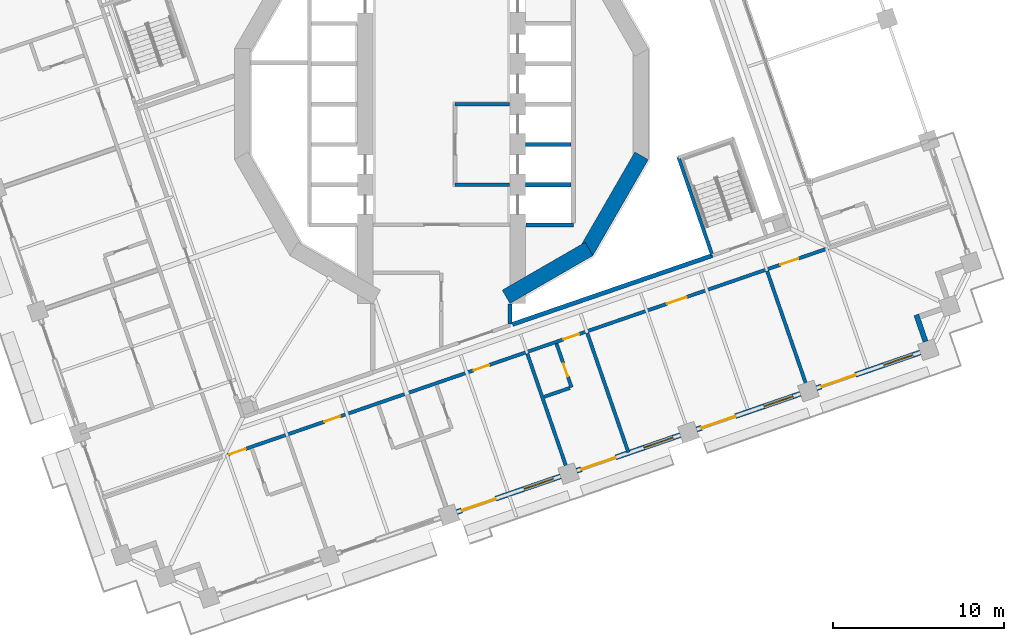
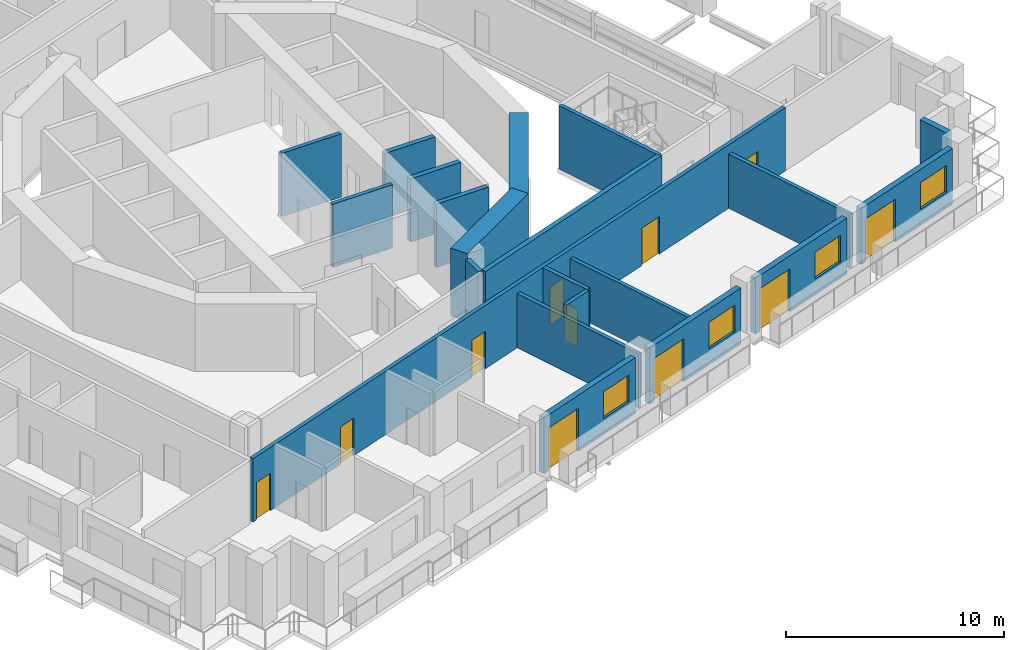
# One storey, part 10 of 22: 21 walls, 11 doors, 4 windows, 15 openings.
"""IFC4 building model written with IfcOpenShell, lengths in metres."""

import ifcopenshell
import ifcopenshell.guid

model = None  # the IFC model being written
_history = None  # IfcOwnerHistory: only IFC2X3 demands one
_inside = {}  # id of a spatial element -> (the spatial element, [elements in it])
_under = {}  # id of a project, library or spatial element -> (it, [spatial elements below it])
_declared = {}  # id of a project -> (the project, [libraries it declares])
_typed = {}  # id of a type object -> (the type object, [elements of that type])
_made_of = {}  # id of a material, layer set ... -> (it, [elements and type objects made of it])


def new_model(schema):
    """Start an empty IFC model of exactly this schema.

    Asked for "IFC4X3", IfcOpenShell would pick the latest addendum, in which some entities
    have other attributes; the version numbers below select the first issue.
    IFC2X3 requires an IfcOwnerHistory on every rooted entity: one is made here for all.
    """
    global model, _history
    if schema == "IFC4X3":
        model = ifcopenshell.file(schema_version=(4, 3, 0, 0))
    else:
        model = ifcopenshell.file(schema=schema)
    _inside.clear()
    _under.clear()
    _declared.clear()
    _typed.clear()
    _made_of.clear()
    _history = None
    if model.schema == "IFC2X3":
        org = make("IfcOrganization", Name="unknown")
        user = make(
            "IfcPersonAndOrganization",
            ThePerson=make("IfcPerson", FamilyName="unknown"),
            TheOrganization=org,
        )
        app = make(
            "IfcApplication",
            ApplicationDeveloper=org,
            Version="unknown",
            ApplicationFullName="unknown",
            ApplicationIdentifier="unknown",
        )
        _history = make(
            "IfcOwnerHistory",
            OwningUser=user,
            OwningApplication=app,
            ChangeAction="ADDED",
            CreationDate=0,
        )
    return model


def make(cls, **values):
    """One entity of the class cls with the attributes given. An attribute that is None is left unset."""
    return model.create_entity(
        cls, **{name: value for name, value in values.items() if value is not None}
    )


def rooted(cls, **values):
    """An entity with a GlobalId (a new one), such as an element, a storey or a relation."""
    return make(cls, GlobalId=ifcopenshell.guid.new(), OwnerHistory=_history, **values)


def si_unit(unit_type, name, prefix=None):
    """IfcSIUnit, for example si_unit("LENGTHUNIT", "METRE", prefix="MILLI")."""
    return make("IfcSIUnit", UnitType=unit_type, Prefix=prefix, Name=name)


def assignment(units):
    """IfcUnitAssignment: the units of a project."""
    return None if units is None else make("IfcUnitAssignment", Units=units)


def point(xyz):
    """IfcCartesianPoint."""
    return None if xyz is None else make("IfcCartesianPoint", Coordinates=xyz)


def direction(xyz):
    """IfcDirection."""
    return None if xyz is None else make("IfcDirection", DirectionRatios=xyz)


def frame(location, z_axis=None, x_axis=None):
    """IfcAxis2Placement3D, a coordinate frame: its origin and axes. An axis left out is left unset."""
    return make(
        "IfcAxis2Placement3D",
        Location=point(location),
        Axis=direction(z_axis),
        RefDirection=direction(x_axis),
    )


def frame_2d(location, x_axis=None):
    """IfcAxis2Placement2D, a coordinate frame in the plane: its origin and x axis."""
    return make(
        "IfcAxis2Placement2D", Location=point(location), RefDirection=direction(x_axis)
    )


def origin():
    """The frame at (0, 0, 0) with its axes left unset."""
    return frame((0.0, 0.0, 0.0))


def place(relative_to, where):
    """IfcLocalPlacement: puts the frame where relative to a parent placement (None: the world)."""
    return make(
        "IfcLocalPlacement", PlacementRelTo=relative_to, RelativePlacement=where
    )


def context(
    kind, dimensions, precision=None, world=None, true_north=None, identifier=None
):
    """IfcGeometricRepresentationContext, for example the 3D "Model" context."""
    return make(
        "IfcGeometricRepresentationContext",
        ContextIdentifier=identifier,
        ContextType=kind,
        CoordinateSpaceDimension=dimensions,
        Precision=precision,
        WorldCoordinateSystem=world,
        TrueNorth=true_north,
    )


def subcontext(parent, identifier, kind, view, scale=None):
    """IfcGeometricRepresentationSubContext, for example "Body" below "Model"."""
    return make(
        "IfcGeometricRepresentationSubContext",
        ContextIdentifier=identifier,
        ContextType=kind,
        ParentContext=parent,
        TargetScale=scale,
        TargetView=view,
    )


def project(units=None, contexts=None):
    """IfcProject with its units and contexts."""
    return rooted(
        "IfcProject",
        Name="project",
        RepresentationContexts=contexts,
        UnitsInContext=assignment(units),
    )


def spatial(cls, under=None, at=None, **own):
    """A site, building, storey or space (cls), placed at a placement, below another one or the project."""
    s = rooted(cls, ObjectPlacement=at, **own)
    if under is not None:
        _under.setdefault(under.id(), (under, []))[1].append(s)
    return s


def profile(cls, at=None, kind="AREA", **sizes):
    """A parametric profile (cls). Its sizes go by their IFC names, for example OverallWidth=200.0."""
    return make(cls, ProfileType=kind, Position=at, **sizes)


def rectangle(**sizes):
    """IfcRectangleProfileDef."""
    return profile("IfcRectangleProfileDef", **sizes)


def extrude(swept, where, along, depth):
    """IfcExtrudedAreaSolid: the profile swept, set in the frame where, extruded along a direction by depth."""
    return make(
        "IfcExtrudedAreaSolid",
        SweptArea=swept,
        Position=where,
        ExtrudedDirection=direction(along),
        Depth=depth,
    )


def shape(context_of_items, identifier, shape_type, items):
    """IfcShapeRepresentation: the items that make up one representation, for example the "Body"."""
    return make(
        "IfcShapeRepresentation",
        ContextOfItems=context_of_items,
        RepresentationIdentifier=identifier,
        RepresentationType=shape_type,
        Items=items,
    )


def material(Name=None, Category=None):
    """IfcMaterial."""
    return make("IfcMaterial", Name=Name, Category=Category)


def layer(
    of_material, thickness, ventilated=None, Name=None, Category=None, Priority=None
):
    """IfcMaterialLayer: one layer of a wall or slab, of a material (None: an air gap)."""
    return make(
        "IfcMaterialLayer",
        Material=of_material,
        LayerThickness=thickness,
        IsVentilated=ventilated,
        Name=Name,
        Category=Category,
        Priority=Priority,
    )


def layer_set(layers, Name=None):
    """IfcMaterialLayerSet."""
    return make("IfcMaterialLayerSet", MaterialLayers=layers, LayerSetName=Name)


def made_of(thing, what):
    """Note that an element or type object is made of a material, layer set ...; save() writes the relation."""
    if what is not None:
        _made_of.setdefault(what.id(), (what, []))[1].append(thing)
    return thing


def type_object(cls, material=None, **own):
    """A type object (cls), such as IfcWallType, which elements share."""
    return made_of(rooted(cls, **own), material)


def element(
    cls,
    number,
    at=None,
    inside=None,
    cuts=None,
    type_object=None,
    material=None,
    context=None,
    identifier="Body",
    shape_type=None,
    held_by="IfcProductDefinitionShape",
    body=None,
    shapes=None,
    **own,
):
    """One element of the class cls, such as IfcWall. Its Tag is "e" and its number.

    at: its placement. inside: the storey or other place that contains it. cuts: it is an
    opening in that element (IfcRelVoidsElement). A single representation is given by context,
    identifier, shape_type and body (its items); several are given by shapes. held_by: the class
    of the entity that holds the representations. save() writes the other relations.
    """
    e = rooted(cls, Tag="e%d" % number, ObjectPlacement=at, **own)
    if body is not None:
        shapes = [shape(context, identifier, shape_type, body)]
    if shapes is not None:
        e.Representation = make(held_by, Representations=shapes)
    if inside is not None:
        _inside.setdefault(inside.id(), (inside, []))[1].append(e)
    if cuts is not None:
        rooted(
            "IfcRelVoidsElement", RelatingBuildingElement=cuts, RelatedOpeningElement=e
        )
    if type_object is not None:
        _typed.setdefault(type_object.id(), (type_object, []))[1].append(e)
    return made_of(e, material)


def fill(opening, filler):
    """IfcRelFillsElement: the door or window that sits in an opening."""
    return rooted(
        "IfcRelFillsElement",
        RelatingOpeningElement=opening,
        RelatedBuildingElement=filler,
    )


def aggregate(whole, parts):
    """IfcRelAggregates: a whole, such as a stair, and the parts it consists of."""
    return rooted("IfcRelAggregates", RelatingObject=whole, RelatedObjects=parts)


def save(model, path):
    """Write the relations noted so far, then the file.

    IfcRelAggregates (storeys below a building ...), IfcRelContainedInSpatialStructure (elements
    in a storey), IfcRelDefinesByType, IfcRelAssociatesMaterial and IfcRelDeclares: one each for
    every whole, place, type object, material and project.
    """
    for whole, parts in _under.values():
        aggregate(whole, parts)
    for where, things in _inside.values():
        rooted(
            "IfcRelContainedInSpatialStructure",
            RelatedElements=things,
            RelatingStructure=where,
        )
    for kind, things in _typed.values():
        rooted("IfcRelDefinesByType", RelatedObjects=things, RelatingType=kind)
    for what, things in _made_of.values():
        rooted("IfcRelAssociatesMaterial", RelatedObjects=things, RelatingMaterial=what)
    for by, libraries in _declared.values():
        rooted("IfcRelDeclares", RelatingContext=by, RelatedDefinitions=libraries)
    model.write(path)


model = new_model("IFC4")

# Units and contexts
model_context = context("Model", 3, precision=1e-05, world=origin(), true_north=direction((0.0, 1.0)))
body_context = subcontext(model_context, "Body", "Model", "MODEL_VIEW")
ifc_project = project(units=[si_unit("LENGTHUNIT", "METRE"), si_unit("AREAUNIT", "SQUARE_METRE"), si_unit("VOLUMEUNIT", "CUBIC_METRE"), si_unit("PLANEANGLEUNIT", "RADIAN"), si_unit("MASSUNIT", "GRAM", prefix="KILO")], contexts=[model_context])

# Site, building, storey
site_placement = place(None, origin())
site = spatial("IfcSite", under=ifc_project, at=site_placement, CompositionType="ELEMENT")
building_placement = place(site_placement, origin())
building = spatial("IfcBuilding", under=site, at=building_placement, Name="Cantera Rosa Tower", CompositionType="ELEMENT")
storey_placement = place(building_placement, frame((0.0, 0.0, 115.5)))
storey = spatial("IfcBuildingStorey", under=building, at=storey_placement, Name="L23", CompositionType="ELEMENT", Elevation=115.5)

# Wall, openings, doors
ifc_material_1 = material(Name="Gypsum board partition")
ifc_layer_1 = layer(ifc_material_1, 0.199951171875)
ifc_layer_set_1 = layer_set([ifc_layer_1], Name="CORRIDOR WALL 200 H3550")
wall_type_1 = type_object("IfcWallType", Name="CORRIDOR WALL 200 H3550", PredefinedType="PARTITIONING", material=ifc_layer_set_1)
wall_1_placement = place(storey_placement, frame((-12.58642578125, -20.515380859375, 0.0), z_axis=(0.0, 0.0, 1.0), x_axis=(0.945519939336, 0.325564193852, 0.0)))
wall_1 = element("IfcWall", 1, at=wall_1_placement, inside=storey, type_object=wall_type_1, Name="CORRIDOR WALL L23-028", PredefinedType="PARTITIONING", context=body_context, shape_type="SweptSolid", body=[
    extrude(rectangle(XDim=37.27978515625, YDim=0.199951171875, at=frame_2d((18.639892578125, 0.0))), origin(), (0.0, 0.0, 1.0), 3.550048828125),
])
opening_1_placement = place(wall_1_placement, frame((6.10498046875, 0.0, 0.0)))
opening_1 = element("IfcOpeningElement", 2, at=opening_1_placement, cuts=wall_1, Name="Opening L23-035", PredefinedType="OPENING", context=body_context, shape_type="SweptSolid", body=[
    extrude(rectangle(XDim=0.949951171875, YDim=2.10009765625, at=frame_2d((0.47509765625, 1.050048828125))), frame((0.0, 0.10986328125, 0.0), z_axis=(0.0, -1.0, 0.0), x_axis=(1.0, 0.0, 0.0)), (0.0, 0.0, 1.0), 0.219970703125),
])
opening_2_placement = place(wall_1_placement, frame((15.304931640625, 0.0, 0.0)))
opening_2 = element("IfcOpeningElement", 3, at=opening_2_placement, cuts=wall_1, Name="Opening L23-037", PredefinedType="OPENING", context=body_context, shape_type="SweptSolid", body=[
    extrude(rectangle(XDim=0.949951171875, YDim=2.10009765625, at=frame_2d((0.47509765625, 1.050048828125))), frame((0.0, 0.10986328125, 0.0), z_axis=(0.0, -1.0, 0.0), x_axis=(1.0, 0.0, 0.0)), (0.0, 0.0, 1.0), 0.219970703125),
])
opening_3_placement = place(wall_1_placement, frame((27.22998046875, 0.0, 0.0)))
opening_3 = element("IfcOpeningElement", 4, at=opening_3_placement, cuts=wall_1, Name="Opening L23-039", PredefinedType="OPENING", context=body_context, shape_type="SweptSolid", body=[
    extrude(rectangle(XDim=1.199951171875, YDim=2.10009765625, at=frame_2d((0.60009765625, 1.050048828125))), frame((0.0, 0.10986328125, 0.0), z_axis=(0.0, -1.0, 0.0), x_axis=(1.0, 0.0, 0.0)), (0.0, 0.0, 1.0), 0.219970703125),
])
opening_4_placement = place(wall_1_placement, frame((20.85498046875, 0.0, 0.0)))
opening_4 = element("IfcOpeningElement", 5, at=opening_4_placement, cuts=wall_1, Name="Opening L23-040", PredefinedType="OPENING", context=body_context, shape_type="SweptSolid", body=[
    extrude(rectangle(XDim=0.949951171875, YDim=2.10009765625, at=frame_2d((0.47509765625, 1.050048828125))), frame((0.0, 0.10986328125, 0.0), z_axis=(0.0, -1.0, 0.0), x_axis=(1.0, 0.0, 0.0)), (0.0, 0.0, 1.0), 0.219970703125),
])
opening_5_placement = place(wall_1_placement, frame((0.22998046875, 0.0, 0.0)))
opening_5 = element("IfcOpeningElement", 6, at=opening_5_placement, cuts=wall_1, Name="Opening L23-042", PredefinedType="OPENING", context=body_context, shape_type="SweptSolid", body=[
    extrude(rectangle(XDim=1.0, YDim=2.10009765625, at=frame_2d((0.5, 1.050048828125))), frame((0.0, 0.10986328125, 0.0), z_axis=(0.0, -1.0, 0.0), x_axis=(1.0, 0.0, 0.0)), (0.0, 0.0, 1.0), 0.219970703125),
])
opening_6_placement = place(wall_1_placement, frame((34.22998046875, 0.0, 0.0)))
opening_6 = element("IfcOpeningElement", 7, at=opening_6_placement, cuts=wall_1, Name="Opening L23-044", PredefinedType="OPENING", context=body_context, shape_type="SweptSolid", body=[
    extrude(rectangle(XDim=1.10009765625, YDim=2.10009765625, at=frame_2d((0.550048828125, 1.050048828125))), frame((0.0, 0.10986328125, 0.0), z_axis=(0.0, -1.0, 0.0), x_axis=(1.0, 0.0, 0.0)), (0.0, 0.0, 1.0), 0.219970703125),
])
ifc_material_2 = material(Name="Timber door leaf", Category="wood")
door_type_1 = type_object("IfcDoorType", Name="ENTRANCE DOOR 1000x2100", OperationType="NOTDEFINED", PredefinedType="DOOR", material=ifc_material_2)
door_1_placement = place(opening_5_placement, origin())
door_1 = element("IfcDoor", 8, at=door_1_placement, inside=storey, type_object=door_type_1, Name="DOOR L23-042", OperationType="NOTDEFINED", OverallHeight=2.10009765625, OverallWidth=1.0, PredefinedType="DOOR", context=body_context, shape_type="SweptSolid", body=[
    extrude(rectangle(XDim=1.0, YDim=2.10009765625, at=frame_2d((0.5, 1.050048828125))), frame((0.0, 0.02490234375, 0.0), z_axis=(0.0, -1.0, 0.0), x_axis=(1.0, 0.0, 0.0)), (0.0, 0.0, 1.0), 0.050048828125),
])
fill(opening_5, door_1)
ifc_material_3 = material(Name="Timber door leaf", Category="wood")
door_type_2 = type_object("IfcDoorType", Name="ROOM DOOR 1100x2100", OperationType="NOTDEFINED", PredefinedType="DOOR", material=ifc_material_3)
door_2_placement = place(opening_6_placement, origin())
door_2 = element("IfcDoor", 9, at=door_2_placement, inside=storey, type_object=door_type_2, Name="DOOR L23-044", OperationType="NOTDEFINED", OverallHeight=2.10009765625, OverallWidth=1.10009765625, PredefinedType="DOOR", context=body_context, shape_type="SweptSolid", body=[
    extrude(rectangle(XDim=1.10009765625, YDim=2.10009765625, at=frame_2d((0.550048828125, 1.050048828125))), frame((0.0, 0.02490234375, 0.0), z_axis=(0.0, -1.0, 0.0), x_axis=(1.0, 0.0, 0.0)), (0.0, 0.0, 1.0), 0.050048828125),
])
fill(opening_6, door_2)
ifc_material_4 = material(Name="Timber door leaf", Category="wood")
door_type_3 = type_object("IfcDoorType", Name="ROOM DOOR 1200x2100", OperationType="NOTDEFINED", PredefinedType="DOOR", material=ifc_material_4)
door_3_placement = place(opening_3_placement, origin())
door_3 = element("IfcDoor", 10, at=door_3_placement, inside=storey, type_object=door_type_3, Name="DOOR L23-039", OperationType="NOTDEFINED", OverallHeight=2.10009765625, OverallWidth=1.199951171875, PredefinedType="DOOR", context=body_context, shape_type="SweptSolid", body=[
    extrude(rectangle(XDim=1.199951171875, YDim=2.10009765625, at=frame_2d((0.60009765625, 1.050048828125))), frame((0.0, 0.02490234375, 0.0), z_axis=(0.0, -1.0, 0.0), x_axis=(1.0, 0.0, 0.0)), (0.0, 0.0, 1.0), 0.050048828125),
])
fill(opening_3, door_3)
ifc_material_5 = material(Name="Timber door leaf", Category="wood")
door_type_4 = type_object("IfcDoorType", Name="ROOM DOOR 950x2100", OperationType="NOTDEFINED", PredefinedType="DOOR", material=ifc_material_5)
door_4_placement = place(opening_1_placement, origin())
door_4 = element("IfcDoor", 11, at=door_4_placement, inside=storey, type_object=door_type_4, Name="DOOR L23-035", OperationType="NOTDEFINED", OverallHeight=2.10009765625, OverallWidth=0.949951171875, PredefinedType="DOOR", context=body_context, shape_type="SweptSolid", body=[
    extrude(rectangle(XDim=0.949951171875, YDim=2.10009765625, at=frame_2d((0.47509765625, 1.050048828125))), frame((0.0, 0.02490234375, 0.0), z_axis=(0.0, -1.0, 0.0), x_axis=(1.0, 0.0, 0.0)), (0.0, 0.0, 1.0), 0.050048828125),
])
fill(opening_1, door_4)
door_5_placement = place(opening_2_placement, origin())
door_5 = element("IfcDoor", 12, at=door_5_placement, inside=storey, type_object=door_type_4, Name="DOOR L23-037", OperationType="NOTDEFINED", OverallHeight=2.10009765625, OverallWidth=0.949951171875, PredefinedType="DOOR", context=body_context, shape_type="SweptSolid", body=[
    extrude(rectangle(XDim=0.949951171875, YDim=2.10009765625, at=frame_2d((0.47509765625, 1.050048828125))), frame((0.0, 0.02490234375, 0.0), z_axis=(0.0, -1.0, 0.0), x_axis=(1.0, 0.0, 0.0)), (0.0, 0.0, 1.0), 0.050048828125),
])
fill(opening_2, door_5)
door_6_placement = place(opening_4_placement, origin())
door_6 = element("IfcDoor", 13, at=door_6_placement, inside=storey, type_object=door_type_4, Name="DOOR L23-040", OperationType="NOTDEFINED", OverallHeight=2.10009765625, OverallWidth=0.949951171875, PredefinedType="DOOR", context=body_context, shape_type="SweptSolid", body=[
    extrude(rectangle(XDim=0.949951171875, YDim=2.10009765625, at=frame_2d((0.47509765625, 1.050048828125))), frame((0.0, 0.02490234375, 0.0), z_axis=(0.0, -1.0, 0.0), x_axis=(1.0, 0.0, 0.0)), (0.0, 0.0, 1.0), 0.050048828125),
])
fill(opening_4, door_6)

# Wall
ifc_material_6 = material(Name="Hollow clay masonry with cantera stone cladding", Category="masonry")
ifc_layer_2 = layer(ifc_material_6, 0.300048828125)
ifc_layer_set_2 = layer_set([ifc_layer_2], Name="EW-LOGGIA 300")
wall_type_2 = type_object("IfcWallType", Name="EW-LOGGIA 300", PredefinedType="SOLIDWALL", material=ifc_layer_set_2)
wall_2_placement = place(storey_placement, frame((28.250732421875, -13.857421875, 0.0), z_axis=(0.0, 0.0, 1.0), x_axis=(-0.325666906351, 0.945484566827, 0.0)))
element("IfcWall", 14, at=wall_2_placement, inside=storey, type_object=wall_type_2, Name="EN-L23-W29a", PredefinedType="SOLIDWALL", context=body_context, shape_type="SweptSolid", body=[
    extrude(rectangle(XDim=1.64990234375, YDim=0.300048828125, at=frame_2d((0.824951171875, 0.0))), origin(), (0.0, 0.0, 1.0), 3.5),
])

# Wall, openings, window, door
ifc_material_7 = material(Name="Hollow clay masonry with cantera stone cladding", Category="masonry")
ifc_layer_3 = layer(ifc_material_7, 0.300048828125)
ifc_layer_set_3 = layer_set([ifc_layer_3], Name="EW-LOGGIA 300 H3140")
wall_type_3 = type_object("IfcWallType", Name="EW-LOGGIA 300 H3140", PredefinedType="SOLIDWALL", material=ifc_layer_set_3)
wall_3_placement = place(storey_placement, frame((0.89892578125, -23.80419921875, 0.0), z_axis=(0.0, 0.0, 1.0), x_axis=(0.945524496524, 0.325550958337, 0.0)))
wall_3 = element("IfcWall", 15, at=wall_3_placement, inside=storey, type_object=wall_type_3, Name="EN-L23-W25", PredefinedType="SOLIDWALL", context=body_context, shape_type="SweptSolid", body=[
    extrude(rectangle(XDim=6.39990234375, YDim=0.300048828125, at=frame_2d((3.199951171875, 0.0))), origin(), (0.0, 0.0, 1.0), 3.139892578125),
])
opening_7_placement = place(wall_3_placement, frame((0.300048828125, 0.0, 0.0)))
opening_7 = element("IfcOpeningElement", 16, at=opening_7_placement, cuts=wall_3, Name="Opening L23-TD33", PredefinedType="OPENING", context=body_context, shape_type="SweptSolid", body=[
    extrude(rectangle(XDim=2.10009765625, YDim=2.39990234375, at=frame_2d((1.050048828125, 1.199951171875))), frame((0.0, 0.159912109375, 0.0), z_axis=(0.0, -1.0, 0.0), x_axis=(1.0, 0.0, 0.0)), (0.0, 0.0, 1.0), 0.320068359375),
])
opening_8_placement = place(wall_3_placement, frame((4.14990234375, 0.0, 0.89990234375)))
opening_8 = element("IfcOpeningElement", 17, at=opening_8_placement, cuts=wall_3, Name="Opening L23-W34", PredefinedType="OPENING", context=body_context, shape_type="SweptSolid", body=[
    extrude(rectangle(XDim=1.800048828125, YDim=1.5, at=frame_2d((0.89990234375, 0.75))), frame((0.0, 0.159912109375, 0.0), z_axis=(0.0, -1.0, 0.0), x_axis=(1.0, 0.0, 0.0)), (0.0, 0.0, 1.0), 0.320068359375),
])
ifc_material_8 = material(Name="Aluminium frame with clear glass", Category="aluminium")
window_type = type_object("IfcWindowType", Name="Hotel room window 1800x1500", PartitioningType="DOUBLE_PANEL_VERTICAL", PredefinedType="WINDOW", material=ifc_material_8)
window_1_placement = place(opening_8_placement, origin())
window_1 = element("IfcWindow", 18, at=window_1_placement, inside=storey, type_object=window_type, Name="WINDOW L23-W34", OverallHeight=1.5, OverallWidth=1.800048828125, PartitioningType="SINGLE_PANEL", PredefinedType="WINDOW", context=body_context, shape_type="SweptSolid", body=[
    extrude(rectangle(XDim=1.800048828125, YDim=1.5, at=frame_2d((0.89990234375, 0.75))), frame((0.0, 0.030029296875, 0.0), z_axis=(0.0, -1.0, 0.0), x_axis=(1.0, 0.0, 0.0)), (0.0, 0.0, 1.0), 0.06005859375),
])
fill(opening_8, window_1)
ifc_material_9 = material(Name="Aluminium frame with clear glass", Category="aluminium")
door_type_5 = type_object("IfcDoorType", Name="TD-H 2100x2400", OperationType="NOTDEFINED", PredefinedType="DOOR", material=ifc_material_9)
door_7_placement = place(opening_7_placement, origin())
door_7 = element("IfcDoor", 19, at=door_7_placement, inside=storey, type_object=door_type_5, Name="LOGGIA DOOR L23-TD33", OperationType="SLIDING_TO_LEFT", OverallHeight=2.39990234375, OverallWidth=2.10009765625, PredefinedType="DOOR", context=body_context, shape_type="SweptSolid", body=[
    extrude(rectangle(XDim=2.10009765625, YDim=2.39990234375, at=frame_2d((1.050048828125, 1.199951171875))), frame((0.0, 0.02490234375, 0.0), z_axis=(0.0, -1.0, 0.0), x_axis=(1.0, 0.0, 0.0)), (0.0, 0.0, 1.0), 0.050048828125),
])
fill(opening_7, door_7)

wall_4_placement = place(storey_placement, frame((7.895751953125, -21.39501953125, 0.0), z_axis=(0.0, 0.0, 1.0), x_axis=(0.945524496524, 0.325550958337, 0.0)))
wall_4 = element("IfcWall", 20, at=wall_4_placement, inside=storey, type_object=wall_type_3, Name="EN-L23-W26", PredefinedType="SOLIDWALL", context=body_context, shape_type="SweptSolid", body=[
    extrude(rectangle(XDim=6.39990234375, YDim=0.300048828125, at=frame_2d((3.199951171875, 0.0))), origin(), (0.0, 0.0, 1.0), 3.139892578125),
])
opening_9_placement = place(wall_4_placement, frame((0.300048828125, 0.0, 0.0)))
opening_9 = element("IfcOpeningElement", 21, at=opening_9_placement, cuts=wall_4, Name="Opening L23-TD35", PredefinedType="OPENING", context=body_context, shape_type="SweptSolid", body=[
    extrude(rectangle(XDim=2.10009765625, YDim=2.39990234375, at=frame_2d((1.050048828125, 1.199951171875))), frame((0.0, 0.159912109375, 0.0), z_axis=(0.0, -1.0, 0.0), x_axis=(1.0, 0.0, 0.0)), (0.0, 0.0, 1.0), 0.320068359375),
])
opening_10_placement = place(wall_4_placement, frame((4.14990234375, 0.0, 0.89990234375)))
opening_10 = element("IfcOpeningElement", 22, at=opening_10_placement, cuts=wall_4, Name="Opening L23-W36", PredefinedType="OPENING", context=body_context, shape_type="SweptSolid", body=[
    extrude(rectangle(XDim=1.800048828125, YDim=1.5, at=frame_2d((0.89990234375, 0.75))), frame((0.0, 0.159912109375, 0.0), z_axis=(0.0, -1.0, 0.0), x_axis=(1.0, 0.0, 0.0)), (0.0, 0.0, 1.0), 0.320068359375),
])
window_2_placement = place(opening_10_placement, origin())
window_2 = element("IfcWindow", 23, at=window_2_placement, inside=storey, type_object=window_type, Name="WINDOW L23-W36", OverallHeight=1.5, OverallWidth=1.800048828125, PartitioningType="SINGLE_PANEL", PredefinedType="WINDOW", context=body_context, shape_type="SweptSolid", body=[
    extrude(rectangle(XDim=1.800048828125, YDim=1.5, at=frame_2d((0.89990234375, 0.75))), frame((0.0, 0.030029296875, 0.0), z_axis=(0.0, -1.0, 0.0), x_axis=(1.0, 0.0, 0.0)), (0.0, 0.0, 1.0), 0.06005859375),
])
fill(opening_10, window_2)
door_8_placement = place(opening_9_placement, origin())
door_8 = element("IfcDoor", 24, at=door_8_placement, inside=storey, type_object=door_type_5, Name="LOGGIA DOOR L23-TD35", OperationType="SLIDING_TO_LEFT", OverallHeight=2.39990234375, OverallWidth=2.10009765625, PredefinedType="DOOR", context=body_context, shape_type="SweptSolid", body=[
    extrude(rectangle(XDim=2.10009765625, YDim=2.39990234375, at=frame_2d((1.050048828125, 1.199951171875))), frame((0.0, 0.02490234375, 0.0), z_axis=(0.0, -1.0, 0.0), x_axis=(1.0, 0.0, 0.0)), (0.0, 0.0, 1.0), 0.050048828125),
])
fill(opening_9, door_8)

wall_5_placement = place(storey_placement, frame((14.892578125, -18.98583984375, 0.0), z_axis=(0.0, 0.0, 1.0), x_axis=(0.945512753621, 0.325585062219, 0.0)))
wall_5 = element("IfcWall", 25, at=wall_5_placement, inside=storey, type_object=wall_type_3, Name="EN-L23-W27", PredefinedType="SOLIDWALL", context=body_context, shape_type="SweptSolid", body=[
    extrude(rectangle(XDim=6.39990234375, YDim=0.300048828125, at=frame_2d((3.199951171875, 0.0))), origin(), (0.0, 0.0, 1.0), 3.139892578125),
])
opening_11_placement = place(wall_5_placement, frame((0.300048828125, 0.0, 0.0)))
opening_11 = element("IfcOpeningElement", 26, at=opening_11_placement, cuts=wall_5, Name="Opening L23-TD37", PredefinedType="OPENING", context=body_context, shape_type="SweptSolid", body=[
    extrude(rectangle(XDim=2.10009765625, YDim=2.39990234375, at=frame_2d((1.050048828125, 1.199951171875))), frame((0.0, 0.159912109375, 0.0), z_axis=(0.0, -1.0, 0.0), x_axis=(1.0, 0.0, 0.0)), (0.0, 0.0, 1.0), 0.320068359375),
])
opening_12_placement = place(wall_5_placement, frame((4.14990234375, 0.0, 0.89990234375)))
opening_12 = element("IfcOpeningElement", 27, at=opening_12_placement, cuts=wall_5, Name="Opening L23-W38", PredefinedType="OPENING", context=body_context, shape_type="SweptSolid", body=[
    extrude(rectangle(XDim=1.800048828125, YDim=1.5, at=frame_2d((0.89990234375, 0.75))), frame((0.0, 0.159912109375, 0.0), z_axis=(0.0, -1.0, 0.0), x_axis=(1.0, 0.0, 0.0)), (0.0, 0.0, 1.0), 0.320068359375),
])
window_3_placement = place(opening_12_placement, origin())
window_3 = element("IfcWindow", 28, at=window_3_placement, inside=storey, type_object=window_type, Name="WINDOW L23-W38", OverallHeight=1.5, OverallWidth=1.800048828125, PartitioningType="SINGLE_PANEL", PredefinedType="WINDOW", context=body_context, shape_type="SweptSolid", body=[
    extrude(rectangle(XDim=1.800048828125, YDim=1.5, at=frame_2d((0.89990234375, 0.75))), frame((0.0, 0.030029296875, 0.0), z_axis=(0.0, -1.0, 0.0), x_axis=(1.0, 0.0, 0.0)), (0.0, 0.0, 1.0), 0.06005859375),
])
fill(opening_12, window_3)
door_9_placement = place(opening_11_placement, origin())
door_9 = element("IfcDoor", 29, at=door_9_placement, inside=storey, type_object=door_type_5, Name="LOGGIA DOOR L23-TD37", OperationType="SLIDING_TO_LEFT", OverallHeight=2.39990234375, OverallWidth=2.10009765625, PredefinedType="DOOR", context=body_context, shape_type="SweptSolid", body=[
    extrude(rectangle(XDim=2.10009765625, YDim=2.39990234375, at=frame_2d((1.050048828125, 1.199951171875))), frame((0.0, 0.02490234375, 0.0), z_axis=(0.0, -1.0, 0.0), x_axis=(1.0, 0.0, 0.0)), (0.0, 0.0, 1.0), 0.050048828125),
])
fill(opening_11, door_9)

wall_6_placement = place(storey_placement, frame((21.889404296875, -16.57666015625, 0.0), z_axis=(0.0, 0.0, 1.0), x_axis=(0.945512753621, 0.325585062219, 0.0)))
wall_6 = element("IfcWall", 30, at=wall_6_placement, inside=storey, type_object=wall_type_3, Name="EN-L23-W28", PredefinedType="SOLIDWALL", context=body_context, shape_type="SweptSolid", body=[
    extrude(rectangle(XDim=6.39990234375, YDim=0.300048828125, at=frame_2d((3.199951171875, 0.0))), origin(), (0.0, 0.0, 1.0), 3.139892578125),
])
opening_13_placement = place(wall_6_placement, frame((0.300048828125, 0.0, 0.0)))
opening_13 = element("IfcOpeningElement", 31, at=opening_13_placement, cuts=wall_6, Name="Opening L23-TD39", PredefinedType="OPENING", context=body_context, shape_type="SweptSolid", body=[
    extrude(rectangle(XDim=2.10009765625, YDim=2.39990234375, at=frame_2d((1.050048828125, 1.199951171875))), frame((0.0, 0.159912109375, 0.0), z_axis=(0.0, -1.0, 0.0), x_axis=(1.0, 0.0, 0.0)), (0.0, 0.0, 1.0), 0.320068359375),
])
opening_14_placement = place(wall_6_placement, frame((4.14990234375, 0.0, 0.89990234375)))
opening_14 = element("IfcOpeningElement", 32, at=opening_14_placement, cuts=wall_6, Name="Opening L23-W40", PredefinedType="OPENING", context=body_context, shape_type="SweptSolid", body=[
    extrude(rectangle(XDim=1.800048828125, YDim=1.5, at=frame_2d((0.89990234375, 0.75))), frame((0.0, 0.159912109375, 0.0), z_axis=(0.0, -1.0, 0.0), x_axis=(1.0, 0.0, 0.0)), (0.0, 0.0, 1.0), 0.320068359375),
])
window_4_placement = place(opening_14_placement, origin())
window_4 = element("IfcWindow", 33, at=window_4_placement, inside=storey, type_object=window_type, Name="WINDOW L23-W40", OverallHeight=1.5, OverallWidth=1.800048828125, PartitioningType="SINGLE_PANEL", PredefinedType="WINDOW", context=body_context, shape_type="SweptSolid", body=[
    extrude(rectangle(XDim=1.800048828125, YDim=1.5, at=frame_2d((0.89990234375, 0.75))), frame((0.0, 0.030029296875, 0.0), z_axis=(0.0, -1.0, 0.0), x_axis=(1.0, 0.0, 0.0)), (0.0, 0.0, 1.0), 0.06005859375),
])
fill(opening_14, window_4)
door_10_placement = place(opening_13_placement, origin())
door_10 = element("IfcDoor", 34, at=door_10_placement, inside=storey, type_object=door_type_5, Name="LOGGIA DOOR L23-TD39", OperationType="SLIDING_TO_LEFT", OverallHeight=2.39990234375, OverallWidth=2.10009765625, PredefinedType="DOOR", context=body_context, shape_type="SweptSolid", body=[
    extrude(rectangle(XDim=2.10009765625, YDim=2.39990234375, at=frame_2d((1.050048828125, 1.199951171875))), frame((0.0, 0.02490234375, 0.0), z_axis=(0.0, -1.0, 0.0), x_axis=(1.0, 0.0, 0.0)), (0.0, 0.0, 1.0), 0.050048828125),
])
fill(opening_13, door_10)

# Wall
ifc_material_10 = material(Name="Gypsum board partition")
ifc_layer_4 = layer(ifc_material_10, 0.199951171875)
ifc_layer_set_4 = layer_set([ifc_layer_4], Name="PARTITION 200 H3050")
wall_type_4 = type_object("IfcWallType", Name="PARTITION 200 H3050", PredefinedType="PARTITIONING", material=ifc_layer_set_4)
wall_7_placement = place(storey_placement, frame((19.00732421875, -9.74267578125, 0.0), z_axis=(0.0, 0.0, 1.0), x_axis=(0.325603730276, -0.945506325114, 0.0)))
element("IfcWall", 35, at=wall_7_placement, inside=storey, type_object=wall_type_4, Name="PARTITION L23-100", PredefinedType="PARTITIONING", context=body_context, shape_type="SweptSolid", body=[
    extrude(rectangle(XDim=7.369873046875, YDim=0.199951171875, at=frame_2d((3.68505859375, 0.0))), origin(), (0.0, 0.0, 1.0), 3.050048828125),
])

# Wall, opening, door
ifc_material_11 = material(Name="Gypsum board partition")
ifc_layer_5 = layer(ifc_material_11, 0.199951171875)
ifc_layer_set_5 = layer_set([ifc_layer_5], Name="PARTITION 200 H3550")
wall_type_5 = type_object("IfcWallType", Name="PARTITION 200 H3550", PredefinedType="PARTITIONING", material=ifc_layer_set_5)
wall_8_placement = place(storey_placement, frame((6.7158203125, -13.97509765625, 0.0), z_axis=(0.0, 0.0, 1.0), x_axis=(0.325544748006, -0.945526634763, 0.0)))
wall_8 = element("IfcWall", 36, at=wall_8_placement, inside=storey, type_object=wall_type_5, Name="PARTITION L23-078", PredefinedType="PARTITIONING", context=body_context, shape_type="SweptSolid", body=[
    extrude(rectangle(XDim=2.69970703125, YDim=0.199951171875, at=frame_2d((1.349853515625, 0.0))), origin(), (0.0, 0.0, 1.0), 3.550048828125),
])
opening_15_placement = place(wall_8_placement, frame((1.236083984375, 0.0, 0.0)))
opening_15 = element("IfcOpeningElement", 37, at=opening_15_placement, cuts=wall_8, Name="Opening L23-041", PredefinedType="OPENING", context=body_context, shape_type="SweptSolid", body=[
    extrude(rectangle(XDim=0.800048828125, YDim=2.10009765625, at=frame_2d((0.39990234375, 1.050048828125))), frame((0.0, 0.10986328125, 0.0), z_axis=(0.0, -1.0, 0.0), x_axis=(1.0, 0.0, 0.0)), (0.0, 0.0, 1.0), 0.219970703125),
])
ifc_material_12 = material(Name="Timber door leaf", Category="wood")
door_type_6 = type_object("IfcDoorType", Name="BATHROOM DOOR 800x2100", OperationType="NOTDEFINED", PredefinedType="DOOR", material=ifc_material_12)
door_11_placement = place(opening_15_placement, origin())
door_11 = element("IfcDoor", 38, at=door_11_placement, inside=storey, type_object=door_type_6, Name="DOOR L23-041", OperationType="NOTDEFINED", OverallHeight=2.10009765625, OverallWidth=0.800048828125, PredefinedType="DOOR", context=body_context, shape_type="SweptSolid", body=[
    extrude(rectangle(XDim=0.800048828125, YDim=2.10009765625, at=frame_2d((0.39990234375, 1.050048828125))), frame((0.0, 0.02490234375, 0.0), z_axis=(0.0, -1.0, 0.0), x_axis=(1.0, 0.0, 0.0)), (0.0, 0.0, 1.0), 0.050048828125),
])
fill(opening_15, door_11)

# Walls
wall_9_placement = place(storey_placement, frame((7.500244140625, -16.560302734375, 0.0), z_axis=(0.0, 0.0, 1.0), x_axis=(-0.945532128907, -0.325528790132, 0.0)))
element("IfcWall", 39, at=wall_9_placement, inside=storey, type_object=wall_type_5, Name="PARTITION L23-079", PredefinedType="PARTITIONING", context=body_context, shape_type="SweptSolid", body=[
    extrude(rectangle(XDim=1.580322265625, YDim=0.199951171875, at=frame_2d((0.7900390625, 0.0))), origin(), (0.0, 0.0, 1.0), 3.550048828125),
])
ifc_material_13 = material(Name="Gypsum board partition")
ifc_layer_6 = layer(ifc_material_13, 0.199951171875)
ifc_layer_set_6 = layer_set([ifc_layer_6], Name="PARTY WALL 200 H3050")
wall_type_6 = type_object("IfcWallType", Name="PARTY WALL 200 H3050", PredefinedType="PARTITIONING", material=ifc_layer_set_6)
for number, where, z_axis, x_axis, name in (
    (40, (5.013671875, -14.56103515625, 0.0), (0.0, 0.0, 1.0), (0.325563917555, -0.945520034471, 0.0), "PARTY WALL L23-075"),
    (41, (8.51220703125, -13.3564453125, 0.0), (0.0, 0.0, 1.0), (0.325563917555, -0.945520034471, 0.0), "PARTY WALL L23-086"),
):
    element("IfcWall", number, at=place(storey_placement, frame(where, z_axis=z_axis, x_axis=x_axis)), inside=storey, type_object=wall_type_6, Name=name, PredefinedType="PARTITIONING", context=body_context, shape_type="SweptSolid", body=[
        extrude(rectangle(XDim=7.3701171875, YDim=0.199951171875, at=frame_2d((3.68505859375, 0.0))), origin(), (0.0, 0.0, 1.0), 3.050048828125),
    ])
ifc_material_14 = material(Name="Concrete C70/85", Category="concrete")
ifc_layer_7 = layer(ifc_material_14, 0.89990234375)
ifc_layer_set_7 = layer_set([ifc_layer_7], Name="RC CORE WALL 900 C70/85")
wall_type_7 = type_object("IfcWallType", Name="RC CORE WALL 900 C70/85", PredefinedType="SHEAR", material=ifc_layer_set_7)
wall_10_placement = place(storey_placement, frame((11.684326171875, -3.01025390625, 0.0), z_axis=(0.0, 0.0, 1.0), x_axis=(-0.499990282633, -0.866031014036, 0.0)))
element("IfcWall", 42, at=wall_10_placement, inside=storey, type_object=wall_type_7, Name="CW-E4 L23", PredefinedType="SHEAR", context=body_context, shape_type="SweptSolid", body=[
    extrude(rectangle(XDim=6.470458984375, YDim=0.89990234375, at=frame_2d((3.2353515625, 0.0))), origin(), (0.0, 0.0, 1.0), 3.800048828125),
])
wall_11_placement = place(storey_placement, frame((8.61376953125, -8.44921875, 0.0), z_axis=(0.0, 0.0, 1.0), x_axis=(-0.866026961591, -0.49999730179, 0.0)))
element("IfcWall", 43, at=wall_11_placement, inside=storey, type_object=wall_type_7, Name="CW-E5 L23", PredefinedType="SHEAR", context=body_context, shape_type="SweptSolid", body=[
    extrude(rectangle(XDim=5.58740234375, YDim=0.89990234375, at=frame_2d((2.793701171875, 0.0))), origin(), (0.0, 0.0, 1.0), 3.800048828125),
])
ifc_material_15 = material(Name="Masonry blockwork", Category="masonry")
ifc_layer_8 = layer(ifc_material_15, 0.25)
ifc_layer_set_8 = layer_set([ifc_layer_8], Name="SHAFT WALL 250 H3550")
wall_type_8 = type_object("IfcWallType", Name="SHAFT WALL 250 H3550", PredefinedType="SOLIDWALL", material=ifc_layer_set_8)
wall_12_placement = place(storey_placement, frame((4.0, -12.820556640625, 0.0), z_axis=(0.0, 0.0, 1.0), x_axis=(0.0, 1.0, 0.0)))
element("IfcWall", 44, at=wall_12_placement, inside=storey, type_object=wall_type_8, Name="SHAFT WALL L23-068", PredefinedType="SOLIDWALL", context=body_context, shape_type="SweptSolid", body=[
    extrude(rectangle(XDim=1.1533203125, YDim=0.25, at=frame_2d((0.57666015625, 0.0))), origin(), (0.0, 0.0, 1.0), 3.550048828125),
])
wall_13_placement = place(storey_placement, frame((4.1513671875, -12.848388671875, 0.0), z_axis=(0.0, 0.0, 1.0), x_axis=(0.945518903658, 0.325567201704, 0.0)))
element("IfcWall", 45, at=wall_13_placement, inside=storey, type_object=wall_type_8, Name="SHAFT WALL L23-069", PredefinedType="SOLIDWALL", context=body_context, shape_type="SweptSolid", body=[
    extrude(rectangle(XDim=12.331298828125, YDim=0.25, at=frame_2d((6.16552734375, 0.0))), origin(), (0.0, 0.0, 1.0), 3.550048828125),
])
wall_14_placement = place(storey_placement, frame((4.89990234375, -4.699951171875, 0.0), z_axis=(0.0, 0.0, 1.0), x_axis=(1.0, 0.0, 0.0)))
element("IfcWall", 46, at=wall_14_placement, inside=storey, type_object=wall_type_8, Name="SHAFT WALL L23-072", PredefinedType="SOLIDWALL", context=body_context, shape_type="SweptSolid", body=[
    extrude(rectangle(XDim=2.675048828125, YDim=0.25, at=frame_2d((1.33740234375, 0.0))), origin(), (0.0, 0.0, 1.0), 3.550048828125),
])
wall_15_placement = place(storey_placement, frame((4.929931640625, -7.050048828125, 0.0), z_axis=(0.0, 0.0, 1.0), x_axis=(1.0, 0.0, 0.0)))
element("IfcWall", 47, at=wall_15_placement, inside=storey, type_object=wall_type_8, Name="SHAFT WALL L23-074", PredefinedType="SOLIDWALL", context=body_context, shape_type="SweptSolid", body=[
    extrude(rectangle(XDim=2.77001953125, YDim=0.25, at=frame_2d((1.385009765625, 0.0))), origin(), (0.0, 0.0, 1.0), 3.550048828125),
])
wall_16_placement = place(storey_placement, frame((7.574951171875, -2.35009765625, 0.0), z_axis=(0.0, 0.0, 1.0), x_axis=(-1.0, 0.0, 0.0)))
element("IfcWall", 48, at=wall_16_placement, inside=storey, type_object=wall_type_8, Name="SHAFT WALL L23-081", PredefinedType="SOLIDWALL", context=body_context, shape_type="SweptSolid", body=[
    extrude(rectangle(XDim=2.675048828125, YDim=0.25, at=frame_2d((1.33740234375, 0.0))), origin(), (0.0, 0.0, 1.0), 3.550048828125),
])
ifc_material_16 = material(Name="Concrete C50/60", Category="concrete")
ifc_layer_9 = layer(ifc_material_16, 0.199951171875)
ifc_layer_set_9 = layer_set([ifc_layer_9], Name="STAIR WALL 200 H3550")
wall_type_9 = type_object("IfcWallType", Name="STAIR WALL 200 H3550", PredefinedType="SOLIDWALL", material=ifc_layer_set_9)
for number, where, z_axis, x_axis, name in (
    (49, (0.800048828125, 0.0, 0.0), (0.0, 0.0, 1.0), (1.0, 0.0, 0.0), "STAIR WALL L23-065"),
    (50, (3.969970703125, -4.699951171875, 0.0), (0.0, 0.0, 1.0), (-1.0, 0.0, 0.0), "STAIR WALL L23-067"),
):
    element("IfcWall", number, at=place(storey_placement, frame(where, z_axis=z_axis, x_axis=x_axis)), inside=storey, type_object=wall_type_9, Name=name, PredefinedType="SOLIDWALL", context=body_context, shape_type="SweptSolid", body=[
        extrude(rectangle(XDim=3.169921875, YDim=0.199951171875, at=frame_2d((1.5849609375, 0.0))), origin(), (0.0, 0.0, 1.0), 3.550048828125),
    ])
wall_17_placement = place(storey_placement, frame((13.839599609375, -3.10888671875, 0.0), z_axis=(0.0, 0.0, 1.0), x_axis=(0.325563172411, -0.945520291041, 0.0)))
element("IfcWall", 51, at=wall_17_placement, inside=storey, type_object=wall_type_9, Name="STAIR WALL L23-095", PredefinedType="SOLIDWALL", context=body_context, shape_type="SweptSolid", body=[
    extrude(rectangle(XDim=6.0546875, YDim=0.199951171875, at=frame_2d((3.02734375, 0.0))), origin(), (0.0, 0.0, 1.0), 3.550048828125),
])

save(model, "model.ifc")
